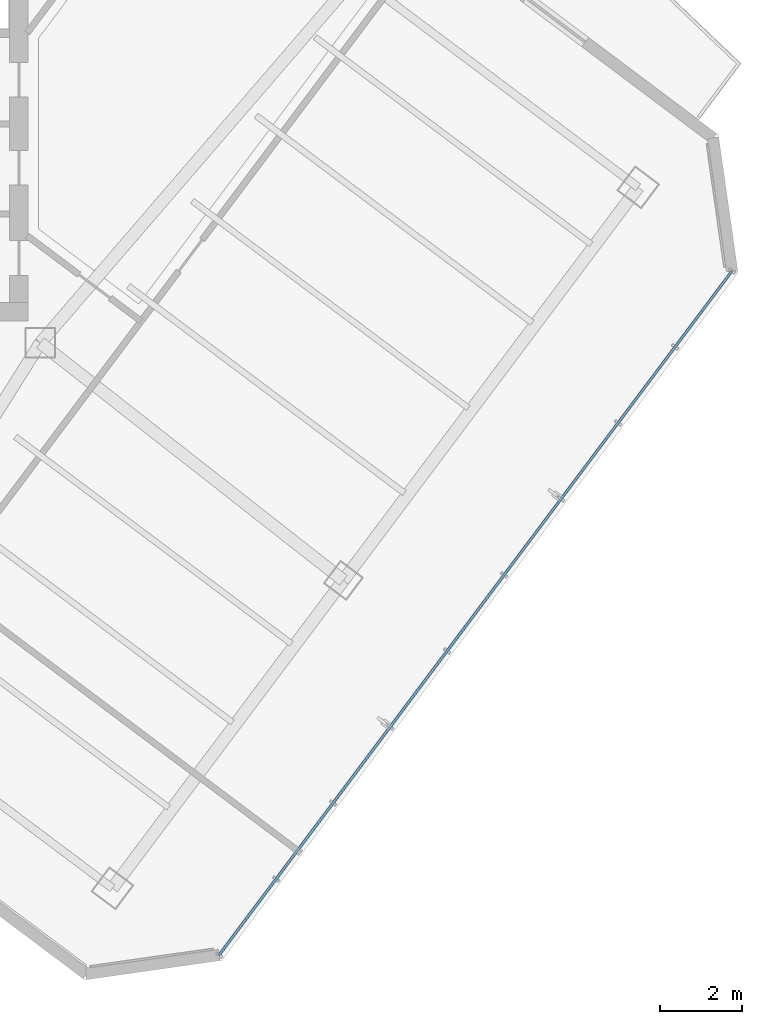
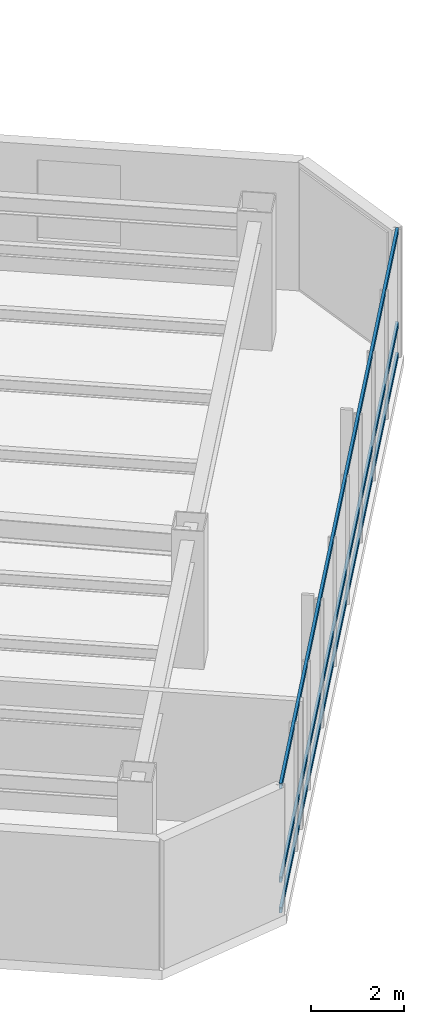
# One storey, part 12 of 25: 3 members, 1 element without a shape of its own.
"""IFC4 building model written with IfcOpenShell, lengths in metres."""

from ifc_helpers import new_model, si_unit, direction, frame, origin, origin_2d, place, context, subcontext, project, spatial, hollow_rectangle, extrude, material, layer, layer_set, material_profile, profile_set, type_object, element, aggregate, save


model = new_model("IFC4")

# Units and contexts
model_context = context("Model", 3, precision=1e-05, world=origin(), true_north=direction((0.0, 1.0)))
body_context = subcontext(model_context, "Body", "Model", "MODEL_VIEW")
ifc_project = project(units=[si_unit("LENGTHUNIT", "METRE"), si_unit("AREAUNIT", "SQUARE_METRE"), si_unit("VOLUMEUNIT", "CUBIC_METRE"), si_unit("PLANEANGLEUNIT", "RADIAN"), si_unit("MASSUNIT", "GRAM", prefix="KILO")], contexts=[model_context])

# Site, building, storey
site_placement = place(None, origin())
site = spatial("IfcSite", under=ifc_project, at=site_placement, CompositionType="ELEMENT")
building_placement = place(site_placement, origin())
building = spatial("IfcBuilding", under=site, at=building_placement, Name="Hatsunagi Terrace Concourse", CompositionType="ELEMENT")
storey_placement = place(building_placement, frame((0.0, 0.0, 205.949951171875)))
storey = spatial("IfcBuildingStorey", under=building, at=storey_placement, Name="L54", CompositionType="ELEMENT", Elevation=205.949951171875)

# Curtain wall, members
ifc_material_1 = material(Name="Anodised Aluminium Alloy 6063-T5", Category="aluminium")
ifc_layer = layer(ifc_material_1, 0.199951171875)
ifc_layer_set = layer_set([ifc_layer], Name="OfficeZone2_CW04")
curtain_wall_type = type_object("IfcCurtainWallType", Name="OfficeZone2_CW04", PredefinedType="NOTDEFINED", material=ifc_layer_set)
curtain_wall_placement = place(storey_placement, origin())
curtain_wall = element("IfcCurtainWall", 1, at=curtain_wall_placement, inside=storey, type_object=curtain_wall_type, Name="Unitised Curtain Wall CW-04 CW-L54-03", PredefinedType="NOTDEFINED")
ifc_material_2 = material(Name="Anodised Aluminium Alloy 6063-T5", Category="aluminium")
ifc_material_profile = material_profile(ifc_material_2, hollow_rectangle(XDim=0.06494140625, YDim=0.139892578125, WallThickness=0.00390625, at=origin_2d()), Name="ALU-TRN-140x65x4")
ifc_profile_set = profile_set([ifc_material_profile], Name="Anodised Aluminium Alloy 6063-T5")
member_type = type_object("IfcMemberType", Name="CurtainWallTransom_140x65", PredefinedType="USERDEFINED", material=ifc_profile_set)
member_1_placement = place(storey_placement, frame((60.693115234375, 25.9580078125, 0.050048828125), z_axis=(-0.599970072971, -0.800022444397, 0.0), x_axis=(0.800022444397, -0.599970072971, 0.0)))
member_1 = element("IfcMember", 2, at=member_1_placement, type_object=member_type, Name="Curtain Wall Transom TRN-02", ObjectType="TRANSOM", PredefinedType="USERDEFINED", context=body_context, shape_type="SweptSolid", body=[
    extrude(hollow_rectangle(XDim=0.06494140625, YDim=0.139892578125, WallThickness=0.00390625, at=origin_2d()), origin(), (0.0, 0.0, 1.0), 20.884521484375),
])
member_2_placement = place(storey_placement, frame((60.693115234375, 25.9580078125, 0.85009765625), z_axis=(-0.599970072971, -0.800022444397, 0.0), x_axis=(0.800022444397, -0.599970072971, 0.0)))
member_2 = element("IfcMember", 3, at=member_2_placement, type_object=member_type, Name="Curtain Wall Transom TRN-02", ObjectType="TRANSOM", PredefinedType="USERDEFINED", context=body_context, shape_type="SweptSolid", body=[
    extrude(hollow_rectangle(XDim=0.06494140625, YDim=0.139892578125, WallThickness=0.00390625, at=origin_2d()), origin(), (0.0, 0.0, 1.0), 20.884521484375),
])
member_3_placement = place(storey_placement, frame((60.693115234375, 25.9580078125, 3.300048828125), z_axis=(-0.599970072971, -0.800022444397, 0.0), x_axis=(0.800022444397, -0.599970072971, 0.0)))
member_3 = element("IfcMember", 4, at=member_3_placement, type_object=member_type, Name="Curtain Wall Transom TRN-02", ObjectType="TRANSOM", PredefinedType="USERDEFINED", context=body_context, shape_type="SweptSolid", body=[
    extrude(hollow_rectangle(XDim=0.06494140625, YDim=0.139892578125, WallThickness=0.00390625, at=origin_2d()), origin(), (0.0, 0.0, 1.0), 20.884521484375),
])
aggregate(curtain_wall, [member_1, member_2, member_3])

save(model, "model.ifc")
